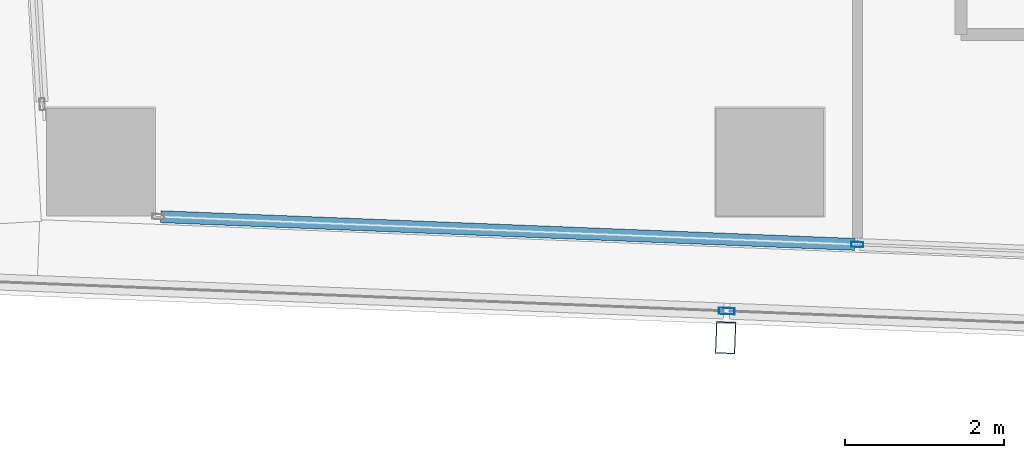
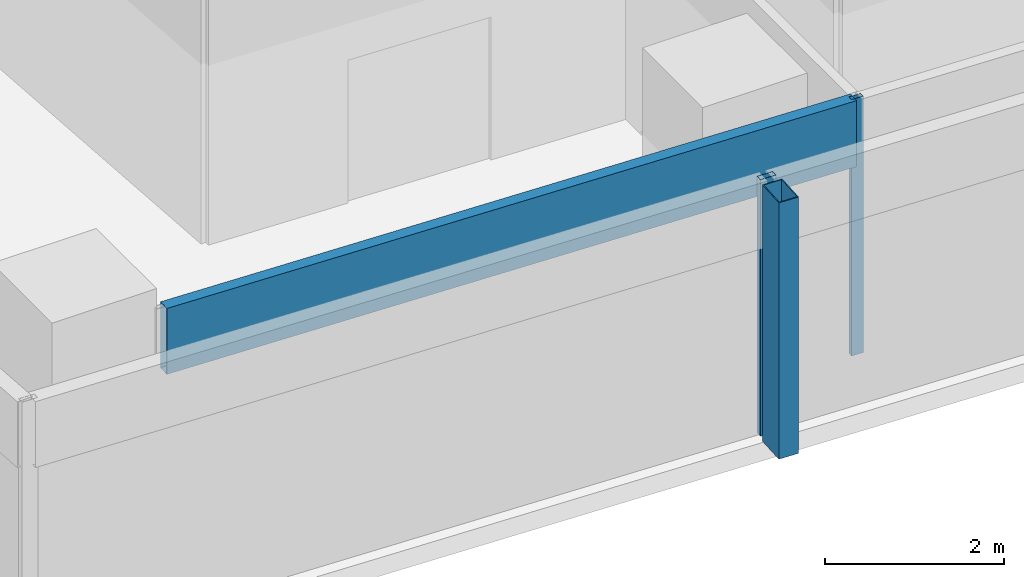
# One storey, part 3 of 38: 4 members, 2 elements without a shape of their own.
"""IFC4 building model written with IfcOpenShell, lengths in metres."""

from ifc_helpers import new_model, si_unit, direction, frame, origin, origin_2d, place, context, subcontext, project, spatial, hollow_rectangle, extrude, material, material_profile, profile_set, type_object, element, aggregate, save


model = new_model("IFC4")

# Units and contexts
model_context = context("Model", 3, precision=1e-05, world=origin(), true_north=direction((0.0, 1.0)))
body_context = subcontext(model_context, "Body", "Model", "MODEL_VIEW")
ifc_project = project(units=[si_unit("LENGTHUNIT", "METRE"), si_unit("AREAUNIT", "SQUARE_METRE"), si_unit("VOLUMEUNIT", "CUBIC_METRE"), si_unit("PLANEANGLEUNIT", "RADIAN"), si_unit("MASSUNIT", "GRAM", prefix="KILO")], contexts=[model_context])

# Site, building, storey
site_placement = place(None, origin())
site = spatial("IfcSite", under=ifc_project, at=site_placement, CompositionType="ELEMENT")
building_placement = place(site_placement, origin())
building = spatial("IfcBuilding", under=site, at=building_placement, Name="Rekha Terrace Tower", CompositionType="ELEMENT")
storey_placement = place(building_placement, frame((0.0, 0.0, 195.199951171875)))
storey = spatial("IfcBuildingStorey", under=building, at=storey_placement, Name="L49", CompositionType="ELEMENT", Elevation=195.199951171875)

# Curtain wall, member
ifc_material_1 = material(Name="Aluminium framing", Category="aluminium")
curtain_wall_type_1 = type_object("IfcCurtainWallType", Name="CW2 double skin outer glazing", PredefinedType="USERDEFINED", material=ifc_material_1)
curtain_wall_1_placement = place(storey_placement, origin())
curtain_wall_1 = element("IfcCurtainWall", 1, at=curtain_wall_1_placement, inside=storey, type_object=curtain_wall_type_1, Name="CW2 double skin outer glazing", ObjectType="DOUBLE SKIN OUTER GLAZING", PredefinedType="USERDEFINED")
ifc_material_2 = material(Name="Steel S355 with fluorocarbon finish", Category="steel")
ifc_material_profile_1 = material_profile(ifc_material_2, hollow_rectangle(XDim=0.25, YDim=0.39990234375, WallThickness=0.012451171875, at=origin_2d()), Name="RHS400x250x12.5")
ifc_profile_set_1 = profile_set([ifc_material_profile_1], Name="Steel S355 with fluorocarbon finish")
member_type_1 = type_object("IfcMemberType", Name="BL1 facade blade RHS 400 x 250", PredefinedType="USERDEFINED", material=ifc_profile_set_1)
member_1_placement = place(storey_placement, frame((16.24658203125, 14.595947265625, 0.0), z_axis=(0.0, 0.0, 1.0), x_axis=(0.999204797763, -0.039871946621, 0.0)))
member_1 = element("IfcMember", 2, at=member_1_placement, type_object=member_type_1, Name="Facade blade", ObjectType="FACADE BLADE", PredefinedType="USERDEFINED", context=body_context, shape_type="SweptSolid", body=[
    extrude(hollow_rectangle(XDim=0.25, YDim=0.39990234375, WallThickness=0.012451171875, at=origin_2d()), origin(), (0.0, 0.0, 1.0), 3.5),
])

# Curtain wall, members
curtain_wall_type_2 = type_object("IfcCurtainWallType", Name="CW1 double skin inner glazing", PredefinedType="USERDEFINED", material=ifc_material_1)
curtain_wall_2_placement = place(storey_placement, origin())
curtain_wall_2 = element("IfcCurtainWall", 3, at=curtain_wall_2_placement, inside=storey, type_object=curtain_wall_type_2, Name="CW1 double skin inner glazing", ObjectType="DOUBLE SKIN INNER GLAZING", PredefinedType="USERDEFINED")
ifc_material_3 = material(Name="Aluminium mullion section", Category="aluminium")
ifc_material_profile_2 = material_profile(ifc_material_3, hollow_rectangle(XDim=0.06494140625, YDim=0.14990234375, WallThickness=0.00390625, at=origin_2d()), Name="AL RHS 65x150")
ifc_profile_set_2 = profile_set([ifc_material_profile_2], Name="Aluminium mullion section")
member_type_2 = type_object("IfcMemberType", Name="CW1 mullion RHS 65 x 150", PredefinedType="MULLION", material=ifc_profile_set_2)
member_2_placement = place(storey_placement, frame((17.89892578125, 15.765869140625, 0.0), z_axis=(0.0, 0.0, 1.0), x_axis=(0.039872497061, 0.999204775798, 0.0)))
member_2 = element("IfcMember", 4, at=member_2_placement, type_object=member_type_2, Name="CW1 mullion 2", PredefinedType="MULLION", context=body_context, shape_type="SweptSolid", body=[
    extrude(hollow_rectangle(XDim=0.06494140625, YDim=0.14990234375, WallThickness=0.00390625, at=origin_2d()), origin(), (0.0, 0.0, 1.0), 3.5),
])
ifc_material_4 = material(Name="Insulated aluminium spandrel box", Category="aluminium")
ifc_material_profile_3 = material_profile(ifc_material_4, hollow_rectangle(XDim=0.14990234375, YDim=0.89990234375, WallThickness=0.0029296875, at=origin_2d()), Name="AL SPANDREL BOX 150x900")
ifc_profile_set_3 = profile_set([ifc_material_profile_3], Name="Insulated aluminium spandrel box")
member_type_3 = type_object("IfcMemberType", Name="CW1 spandrel transom 150 x 900", PredefinedType="USERDEFINED", material=ifc_profile_set_3)
member_3_placement = place(storey_placement, frame((9.15966796875, 16.11474609375, 3.050048828125), z_axis=(0.999204892499, -0.039869572443, 0.0), x_axis=(0.039869572443, 0.999204892499, 0.0)))
member_3 = element("IfcMember", 5, at=member_3_placement, type_object=member_type_3, Name="CW1 spandrel transom 1", ObjectType="TRANSOM", PredefinedType="USERDEFINED", context=body_context, shape_type="SweptSolid", body=[
    extrude(hollow_rectangle(XDim=0.14990234375, YDim=0.89990234375, WallThickness=0.0029296875, at=origin_2d()), origin(), (0.0, 0.0, 1.0), 8.713623046875),
])
aggregate(curtain_wall_2, [member_2, member_3])

# Member
ifc_material_profile_4 = material_profile(ifc_material_3, hollow_rectangle(XDim=0.080078125, YDim=0.199951171875, WallThickness=0.00390625, at=origin_2d()), Name="AL RHS 80x200")
ifc_profile_set_4 = profile_set([ifc_material_profile_4], Name="Aluminium mullion section")
member_type_4 = type_object("IfcMemberType", Name="CW2 mullion RHS 80 x 200", PredefinedType="MULLION", material=ifc_profile_set_4)
member_4_placement = place(storey_placement, frame((16.259765625, 14.9306640625, 0.0), z_axis=(0.0, 0.0, 1.0), x_axis=(0.039872497044, 0.999204775799, 0.0)))
member_4 = element("IfcMember", 6, at=member_4_placement, type_object=member_type_4, Name="CW2 mullion 2", PredefinedType="MULLION", context=body_context, shape_type="SweptSolid", body=[
    extrude(hollow_rectangle(XDim=0.080078125, YDim=0.199951171875, WallThickness=0.00390625, at=origin_2d()), origin(), (0.0, 0.0, 1.0), 3.5),
])

aggregate(curtain_wall_1, [member_4, member_1])

save(model, "model.ifc")
